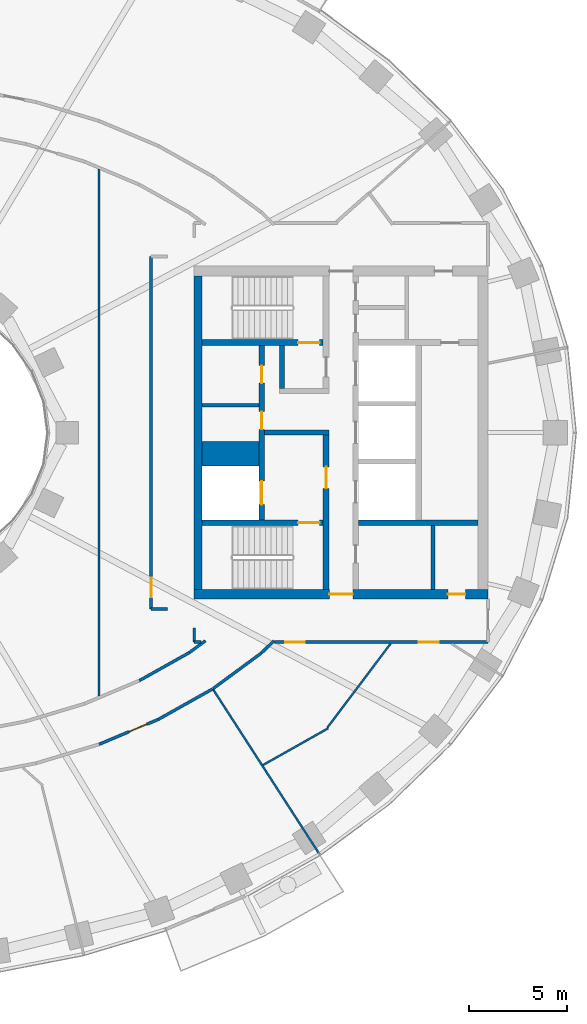
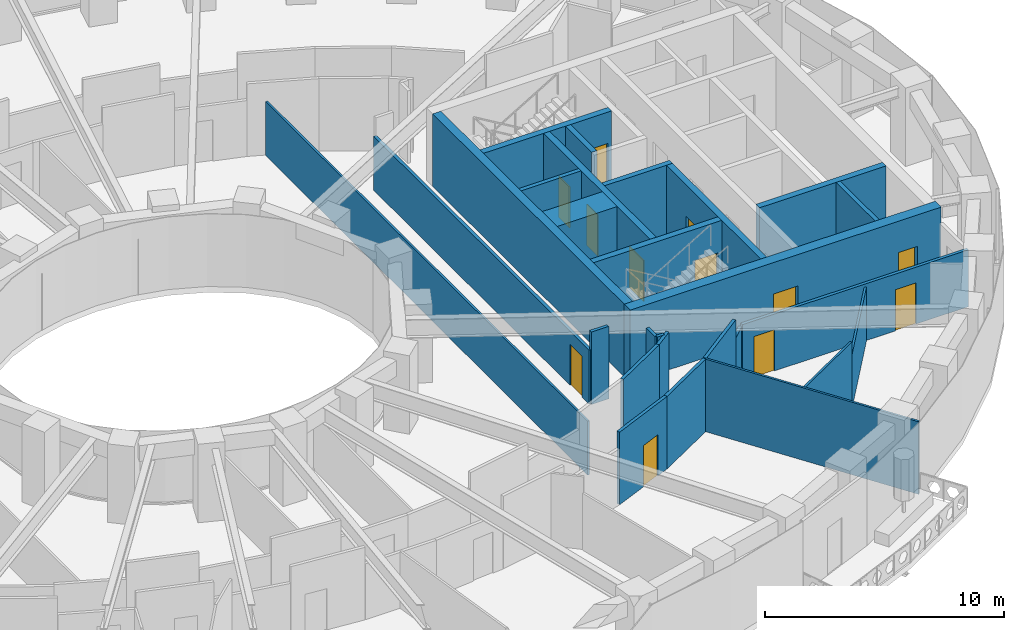
# One storey, part 5 of 16: 27 walls, 12 doors, 12 openings.
"""IFC4 building model written with IfcOpenShell, lengths in metres."""

from ifc_helpers import new_model, si_unit, direction, frame, frame_2d, origin, place, context, subcontext, project, spatial, rectangle, extrude, material, layer, layer_set, type_object, element, fill, save


model = new_model("IFC4")

# Units and contexts
model_context = context("Model", 3, precision=1e-05, world=origin(), true_north=direction((0.0, 1.0)))
body_context = subcontext(model_context, "Body", "Model", "MODEL_VIEW")
ifc_project = project(units=[si_unit("LENGTHUNIT", "METRE"), si_unit("AREAUNIT", "SQUARE_METRE"), si_unit("VOLUMEUNIT", "CUBIC_METRE"), si_unit("PLANEANGLEUNIT", "RADIAN"), si_unit("MASSUNIT", "GRAM", prefix="KILO")], contexts=[model_context])

# Site, building, storey
site_placement = place(None, origin())
site = spatial("IfcSite", under=ifc_project, at=site_placement, CompositionType="ELEMENT")
building_placement = place(site_placement, origin())
building = spatial("IfcBuilding", under=site, at=building_placement, Name="Noorbagh Ring Tower", CompositionType="ELEMENT")
storey_placement = place(building_placement, frame((0.0, 0.0, 116.0)))
storey = spatial("IfcBuildingStorey", under=building, at=storey_placement, Name="L26", CompositionType="ELEMENT", Elevation=116.0)

# Walls
ifc_material_1 = material(Name="Gypsum board on steel studs", Category="steel")
ifc_layer_1 = layer(ifc_material_1, 0.199951171875)
ifc_layer_set_1 = layer_set([ifc_layer_1], Name="Gypsum board on steel studs")
wall_type_1 = type_object("IfcWallType", Name="CORE-PARTITION-200", PredefinedType="PARTITIONING", material=ifc_layer_set_1)
wall_1_placement = place(storey_placement, frame((16.89990234375, 1.39990234375, 0.0), z_axis=(0.0, 0.0, 1.0), x_axis=(1.0, 0.0, 0.0)))
element("IfcWall", 1, at=wall_1_placement, inside=storey, type_object=wall_type_1, Name="Core partition E", PredefinedType="PARTITIONING", context=body_context, shape_type="SweptSolid", body=[
    extrude(rectangle(XDim=2.900146484375, YDim=0.199951171875, at=frame_2d((1.4501953125, 0.0))), origin(), (0.0, 0.0, 1.0), 3.699951171875),
])
wall_2_placement = place(storey_placement, frame((28.699951171875, -8.0, 0.0), z_axis=(0.0, 0.0, 1.0), x_axis=(0.0, 1.0, 0.0)))
element("IfcWall", 2, at=wall_2_placement, inside=storey, type_object=wall_type_1, Name="Core partition E", PredefinedType="PARTITIONING", context=body_context, shape_type="SweptSolid", body=[
    extrude(rectangle(XDim=3.25, YDim=0.199951171875, at=frame_2d((1.625, 0.0))), origin(), (0.0, 0.0, 1.0), 3.699951171875),
])
ifc_material_2 = material(Name="Concrete C70/85", Category="concrete")
ifc_layer_2 = layer(ifc_material_2, 1.25)
ifc_layer_set_2 = layer_set([ifc_layer_2], Name="Concrete C70/85")
wall_type_2 = type_object("IfcWallType", Name="CORE-WALL-1250-C70-85-EI120", PredefinedType="SHEAR", material=ifc_layer_set_2)
wall_3_placement = place(storey_placement, frame((16.89990234375, -1.074951171875, 0.0), z_axis=(0.0, 0.0, 1.0), x_axis=(1.0, 0.0, 0.0)))
element("IfcWall", 3, at=wall_3_placement, inside=storey, type_object=wall_type_2, Name="Core wall E", PredefinedType="SHEAR", context=body_context, shape_type="SweptSolid", body=[
    extrude(rectangle(XDim=2.900146484375, YDim=1.25, at=frame_2d((1.4501953125, 0.0))), origin(), (0.0, 0.0, 1.0), 3.699951171875),
])
ifc_material_3 = material(Name="Concrete C70/85", Category="concrete")
ifc_layer_3 = layer(ifc_material_3, 0.25)
ifc_layer_set_3 = layer_set([ifc_layer_3], Name="Concrete C70/85")
wall_type_3 = type_object("IfcWallType", Name="CORE-WALL-250-C70-85-EI240", PredefinedType="SHEAR", material=ifc_layer_set_3)
wall_4_placement = place(storey_placement, frame((20.10009765625, 0.0, 0.0), z_axis=(0.0, 0.0, 1.0), x_axis=(1.0, 0.0, 0.0)))
element("IfcWall", 4, at=wall_4_placement, inside=storey, type_object=wall_type_3, Name="Core wall E", PredefinedType="SHEAR", context=body_context, shape_type="SweptSolid", body=[
    extrude(rectangle(XDim=3.27978515625, YDim=0.25, at=frame_2d((1.639892578125, 0.0))), origin(), (0.0, 0.0, 1.0), 3.699951171875),
])
wall_5_placement = place(storey_placement, frame((20.97509765625, 2.25, 0.0), z_axis=(0.0, 0.0, 1.0), x_axis=(0.0, 1.0, 0.0)))
element("IfcWall", 5, at=wall_5_placement, inside=storey, type_object=wall_type_3, Name="Core wall E", PredefinedType="SHEAR", context=body_context, shape_type="SweptSolid", body=[
    extrude(rectangle(XDim=2.199951171875, YDim=0.25, at=frame_2d((1.10009765625, 0.0))), origin(), (0.0, 0.0, 1.0), 3.699951171875),
])

# Wall, openings, doors
ifc_material_4 = material(Name="Concrete C70/85", Category="concrete")
ifc_layer_4 = layer(ifc_material_4, 0.300048828125)
ifc_layer_set_4 = layer_set([ifc_layer_4], Name="Concrete C70/85")
wall_type_4 = type_object("IfcWallType", Name="CORE-WALL-300-C70-85-EI120", PredefinedType="SHEAR", material=ifc_layer_set_4)
wall_6_placement = place(storey_placement, frame((19.949951171875, -4.449951171875, 0.0), z_axis=(0.0, 0.0, 1.0), x_axis=(0.0, 1.0, 0.0)))
wall_6 = element("IfcWall", 6, at=wall_6_placement, inside=storey, type_object=wall_type_4, Name="Core wall E", PredefinedType="SHEAR", context=body_context, shape_type="SweptSolid", body=[
    extrude(rectangle(XDim=8.89990234375, YDim=0.300048828125, at=frame_2d((4.449951171875, 0.0))), origin(), (0.0, 0.0, 1.0), 3.699951171875),
])
opening_1_placement = place(wall_6_placement, frame((0.77490234375, 0.0, 0.0)))
opening_1 = element("IfcOpeningElement", 7, at=opening_1_placement, cuts=wall_6, Name="Opening L26-CE01", PredefinedType="OPENING", context=body_context, shape_type="SweptSolid", body=[
    extrude(rectangle(XDim=1.199951171875, YDim=2.10009765625, at=frame_2d((0.60009765625, 1.050048828125))), frame((0.0, 0.16015625, 0.0), z_axis=(0.0, -1.0, 0.0), x_axis=(1.0, 0.0, 0.0)), (0.0, 0.0, 1.0), 0.320068359375),
])
opening_2_placement = place(wall_6_placement, frame((4.6201171875, 0.0, 0.0)))
opening_2 = element("IfcOpeningElement", 8, at=opening_2_placement, cuts=wall_6, Name="Opening L26-CE11", PredefinedType="OPENING", context=body_context, shape_type="SweptSolid", body=[
    extrude(rectangle(XDim=0.89990234375, YDim=2.10009765625, at=frame_2d((0.449951171875, 1.050048828125))), frame((0.0, 0.16015625, 0.0), z_axis=(0.0, -1.0, 0.0), x_axis=(1.0, 0.0, 0.0)), (0.0, 0.0, 1.0), 0.320068359375),
])
opening_3_placement = place(wall_6_placement, frame((6.97509765625, 0.0, 0.0)))
opening_3 = element("IfcOpeningElement", 9, at=opening_3_placement, cuts=wall_6, Name="Opening L26-CE12", PredefinedType="OPENING", context=body_context, shape_type="SweptSolid", body=[
    extrude(rectangle(XDim=0.89990234375, YDim=2.10009765625, at=frame_2d((0.449951171875, 1.050048828125))), frame((0.0, 0.16015625, 0.0), z_axis=(0.0, -1.0, 0.0), x_axis=(1.0, 0.0, 0.0)), (0.0, 0.0, 1.0), 0.320068359375),
])
ifc_material_5 = material(Name="Steel door leaf", Category="steel")
door_type_1 = type_object("IfcDoorType", Name="CORE-DOOR-DROOM", OperationType="SINGLE_SWING_LEFT", PredefinedType="DOOR", material=ifc_material_5)
door_1_placement = place(opening_2_placement, origin())
door_1 = element("IfcDoor", 10, at=door_1_placement, inside=storey, type_object=door_type_1, Name="Core room door L26-CE11", OperationType="SINGLE_SWING_LEFT", OverallHeight=2.10009765625, OverallWidth=0.89990234375, PredefinedType="DOOR", context=body_context, shape_type="SweptSolid", body=[
    extrude(rectangle(XDim=0.89990234375, YDim=2.10009765625, at=frame_2d((0.449951171875, 1.050048828125))), frame((0.0, 0.02490234375, 0.0), z_axis=(0.0, -1.0, 0.0), x_axis=(1.0, 0.0, 0.0)), (0.0, 0.0, 1.0), 0.050048828125),
])
fill(opening_2, door_1)
door_2_placement = place(opening_3_placement, origin())
door_2 = element("IfcDoor", 11, at=door_2_placement, inside=storey, type_object=door_type_1, Name="Core room door L26-CE12", OperationType="SINGLE_SWING_RIGHT", OverallHeight=2.10009765625, OverallWidth=0.89990234375, PredefinedType="DOOR", context=body_context, shape_type="SweptSolid", body=[
    extrude(rectangle(XDim=0.89990234375, YDim=2.10009765625, at=frame_2d((0.449951171875, 1.050048828125))), frame((0.0, 0.02490234375, 0.0), z_axis=(0.0, -1.0, 0.0), x_axis=(1.0, 0.0, 0.0)), (0.0, 0.0, 1.0), 0.050048828125),
])
fill(opening_3, door_2)
ifc_material_6 = material(Name="Steel door leaf", Category="steel")
door_type_2 = type_object("IfcDoorType", Name="CORE-DOOR-LDW", OperationType="DOUBLE_DOOR_SLIDING", PredefinedType="DOOR", material=ifc_material_6)
door_3_placement = place(opening_1_placement, origin())
door_3 = element("IfcDoor", 12, at=door_3_placement, inside=storey, type_object=door_type_2, Name="Landing door FF2 L26-CE01", OperationType="DOUBLE_DOOR_SLIDING", OverallHeight=2.10009765625, OverallWidth=1.199951171875, PredefinedType="DOOR", context=body_context, shape_type="SweptSolid", body=[
    extrude(rectangle(XDim=1.199951171875, YDim=2.10009765625, at=frame_2d((0.60009765625, 1.050048828125))), frame((0.0, 0.02490234375, 0.0), z_axis=(0.0, -1.0, 0.0), x_axis=(1.0, 0.0, 0.0)), (0.0, 0.0, 1.0), 0.050048828125),
])
fill(opening_1, door_3)

# Wall
ifc_material_7 = material(Name="Concrete C70/85", Category="concrete")
ifc_layer_5 = layer(ifc_material_7, 0.300048828125)
ifc_layer_set_5 = layer_set([ifc_layer_5], Name="Concrete C70/85")
wall_type_5 = type_object("IfcWallType", Name="CORE-WALL-300-C70-85-EI240", PredefinedType="SHEAR", material=ifc_layer_set_5)
wall_7_placement = place(storey_placement, frame((24.89990234375, -4.60009765625, 0.0), z_axis=(0.0, 0.0, 1.0), x_axis=(1.0, 0.0, 0.0)))
element("IfcWall", 13, at=wall_7_placement, inside=storey, type_object=wall_type_5, Name="Core wall E", PredefinedType="SHEAR", context=body_context, shape_type="SweptSolid", body=[
    extrude(rectangle(XDim=6.10009765625, YDim=0.300048828125, at=frame_2d((3.050048828125, 0.0))), origin(), (0.0, 0.0, 1.0), 3.699951171875),
])

# Wall, opening, door
wall_8_placement = place(storey_placement, frame((23.22998046875, -8.0, 0.0), z_axis=(0.0, 0.0, 1.0), x_axis=(0.0, 1.0, 0.0)))
wall_8 = element("IfcWall", 14, at=wall_8_placement, inside=storey, type_object=wall_type_5, Name="Core wall E", PredefinedType="SHEAR", context=body_context, shape_type="SweptSolid", body=[
    extrude(rectangle(XDim=7.875, YDim=0.300048828125, at=frame_2d((3.9375, 0.0))), origin(), (0.0, 0.0, 1.0), 3.699951171875),
])
opening_4_placement = place(wall_8_placement, frame((5.14990234375, 0.0, 0.0)))
opening_4 = element("IfcOpeningElement", 15, at=opening_4_placement, cuts=wall_8, Name="Opening L26-CE07", PredefinedType="OPENING", context=body_context, shape_type="SweptSolid", body=[
    extrude(rectangle(XDim=1.10009765625, YDim=2.10009765625, at=frame_2d((0.550048828125, 1.050048828125))), frame((0.0, 0.16015625, 0.0), z_axis=(0.0, -1.0, 0.0), x_axis=(1.0, 0.0, 0.0)), (0.0, 0.0, 1.0), 0.320068359375),
])
ifc_material_8 = material(Name="Steel door leaf", Category="steel")
door_type_3 = type_object("IfcDoorType", Name="CORE-DOOR-DFF", OperationType="SINGLE_SWING_LEFT", PredefinedType="DOOR", material=ifc_material_8)
door_4_placement = place(opening_4_placement, origin())
door_4 = element("IfcDoor", 16, at=door_4_placement, inside=storey, type_object=door_type_3, Name="Firefighting lobby door L26-CE07", OperationType="SINGLE_SWING_RIGHT", OverallHeight=2.10009765625, OverallWidth=1.10009765625, PredefinedType="DOOR", context=body_context, shape_type="SweptSolid", body=[
    extrude(rectangle(XDim=1.10009765625, YDim=2.10009765625, at=frame_2d((0.550048828125, 1.050048828125))), frame((0.0, 0.02490234375, 0.0), z_axis=(0.0, -1.0, 0.0), x_axis=(1.0, 0.0, 0.0)), (0.0, 0.0, 1.0), 0.050048828125),
])
fill(opening_4, door_4)

wall_9_placement = place(storey_placement, frame((16.89990234375, 4.60009765625, 0.0), z_axis=(0.0, 0.0, 1.0), x_axis=(1.0, 0.0, 0.0)))
wall_9 = element("IfcWall", 17, at=wall_9_placement, inside=storey, type_object=wall_type_5, Name="Core wall E", PredefinedType="SHEAR", context=body_context, shape_type="SweptSolid", body=[
    extrude(rectangle(XDim=6.18017578125, YDim=0.300048828125, at=frame_2d((3.090087890625, 0.0))), origin(), (0.0, 0.0, 1.0), 3.699951171875),
])
opening_5_placement = place(wall_9_placement, frame((4.89990234375, 0.0, 0.0)))
opening_5 = element("IfcOpeningElement", 18, at=opening_5_placement, cuts=wall_9, Name="Opening L26-CE05", PredefinedType="OPENING", context=body_context, shape_type="SweptSolid", body=[
    extrude(rectangle(XDim=1.10009765625, YDim=2.10009765625, at=frame_2d((0.550048828125, 1.050048828125))), frame((0.0, 0.16015625, 0.0), z_axis=(0.0, -1.0, 0.0), x_axis=(1.0, 0.0, 0.0)), (0.0, 0.0, 1.0), 0.320068359375),
])
ifc_material_9 = material(Name="Steel door leaf", Category="steel")
door_type_4 = type_object("IfcDoorType", Name="CORE-DOOR-DSTAIR", OperationType="SINGLE_SWING_LEFT", PredefinedType="DOOR", material=ifc_material_9)
door_5_placement = place(opening_5_placement, origin())
door_5 = element("IfcDoor", 19, at=door_5_placement, inside=storey, type_object=door_type_4, Name="Stair door ST3 L26-CE05", OperationType="SINGLE_SWING_LEFT", OverallHeight=2.10009765625, OverallWidth=1.10009765625, PredefinedType="DOOR", context=body_context, shape_type="SweptSolid", body=[
    extrude(rectangle(XDim=1.10009765625, YDim=2.10009765625, at=frame_2d((0.550048828125, 1.050048828125))), frame((0.0, 0.02490234375, 0.0), z_axis=(0.0, -1.0, 0.0), x_axis=(1.0, 0.0, 0.0)), (0.0, 0.0, 1.0), 0.050048828125),
])
fill(opening_5, door_5)

wall_10_placement = place(storey_placement, frame((16.89990234375, -4.60009765625, 0.0), z_axis=(0.0, 0.0, 1.0), x_axis=(1.0, 0.0, 0.0)))
wall_10 = element("IfcWall", 20, at=wall_10_placement, inside=storey, type_object=wall_type_5, Name="Core wall E", PredefinedType="SHEAR", context=body_context, shape_type="SweptSolid", body=[
    extrude(rectangle(XDim=6.18017578125, YDim=0.300048828125, at=frame_2d((3.090087890625, 0.0))), origin(), (0.0, 0.0, 1.0), 3.699951171875),
])
opening_6_placement = place(wall_10_placement, frame((4.89990234375, 0.0, 0.0)))
opening_6 = element("IfcOpeningElement", 21, at=opening_6_placement, cuts=wall_10, Name="Opening L26-CE06", PredefinedType="OPENING", context=body_context, shape_type="SweptSolid", body=[
    extrude(rectangle(XDim=1.10009765625, YDim=2.10009765625, at=frame_2d((0.550048828125, 1.050048828125))), frame((0.0, 0.16015625, 0.0), z_axis=(0.0, -1.0, 0.0), x_axis=(1.0, 0.0, 0.0)), (0.0, 0.0, 1.0), 0.320068359375),
])
door_6_placement = place(opening_6_placement, origin())
door_6 = element("IfcDoor", 22, at=door_6_placement, inside=storey, type_object=door_type_4, Name="Stair door ST4 L26-CE06", OperationType="SINGLE_SWING_RIGHT", OverallHeight=2.10009765625, OverallWidth=1.10009765625, PredefinedType="DOOR", context=body_context, shape_type="SweptSolid", body=[
    extrude(rectangle(XDim=1.10009765625, YDim=2.10009765625, at=frame_2d((0.550048828125, 1.050048828125))), frame((0.0, 0.02490234375, 0.0), z_axis=(0.0, -1.0, 0.0), x_axis=(1.0, 0.0, 0.0)), (0.0, 0.0, 1.0), 0.050048828125),
])
fill(opening_6, door_6)

# Wall
ifc_material_10 = material(Name="Concrete C70/85", Category="concrete")
ifc_layer_6 = layer(ifc_material_10, 0.39990234375)
ifc_layer_set_6 = layer_set([ifc_layer_6], Name="Concrete C70/85")
wall_type_6 = type_object("IfcWallType", Name="CORE-WALL-400-C70-85-EI240", PredefinedType="SHEAR", material=ifc_layer_set_6)
wall_11_placement = place(storey_placement, frame((16.699951171875, -8.0, 0.0), z_axis=(0.0, 0.0, 1.0), x_axis=(0.0, 1.0, 0.0)))
element("IfcWall", 23, at=wall_11_placement, inside=storey, type_object=wall_type_6, Name="Core wall E", PredefinedType="SHEAR", context=body_context, shape_type="SweptSolid", body=[
    extrude(rectangle(XDim=16.0, YDim=0.39990234375, at=frame_2d((8.0, 0.0))), origin(), (0.0, 0.0, 1.0), 3.699951171875),
])

# Wall, openings, doors
ifc_material_11 = material(Name="Concrete C70/85", Category="concrete")
ifc_layer_7 = layer(ifc_material_11, 0.5)
ifc_layer_set_7 = layer_set([ifc_layer_7], Name="Concrete C70/85")
wall_type_7 = type_object("IfcWallType", Name="CORE-WALL-500-C70-85-EI240", PredefinedType="SHEAR", material=ifc_layer_set_7)
wall_12_placement = place(storey_placement, frame((16.5, -8.25, 0.0), z_axis=(0.0, 0.0, 1.0), x_axis=(1.0, 0.0, 0.0)))
wall_12 = element("IfcWall", 24, at=wall_12_placement, inside=storey, type_object=wall_type_7, Name="Core wall E", PredefinedType="SHEAR", context=body_context, shape_type="SweptSolid", body=[
    extrude(rectangle(XDim=15.0, YDim=0.5, at=frame_2d((7.5, 0.0))), origin(), (0.0, 0.0, 1.0), 3.699951171875),
])
opening_7_placement = place(wall_12_placement, frame((6.89990234375, 0.0, 0.0)))
opening_7 = element("IfcOpeningElement", 25, at=opening_7_placement, cuts=wall_12, Name="Opening L26-CE10", PredefinedType="OPENING", context=body_context, shape_type="SweptSolid", body=[
    extrude(rectangle(XDim=1.199951171875, YDim=2.10009765625, at=frame_2d((0.60009765625, 1.050048828125))), frame((0.0, 0.260009765625, 0.0), z_axis=(0.0, -1.0, 0.0), x_axis=(1.0, 0.0, 0.0)), (0.0, 0.0, 1.0), 0.52001953125),
])
opening_8_placement = place(wall_12_placement, frame((12.949951171875, 0.0, 0.0)))
opening_8 = element("IfcOpeningElement", 26, at=opening_8_placement, cuts=wall_12, Name="Opening L26-CE17", PredefinedType="OPENING", context=body_context, shape_type="SweptSolid", body=[
    extrude(rectangle(XDim=0.89990234375, YDim=2.10009765625, at=frame_2d((0.449951171875, 1.050048828125))), frame((0.0, 0.260009765625, 0.0), z_axis=(0.0, -1.0, 0.0), x_axis=(1.0, 0.0, 0.0)), (0.0, 0.0, 1.0), 0.52001953125),
])
door_7_placement = place(opening_8_placement, origin())
door_7 = element("IfcDoor", 27, at=door_7_placement, inside=storey, type_object=door_type_1, Name="Core room door L26-CE17", OperationType="SINGLE_SWING_RIGHT", OverallHeight=2.10009765625, OverallWidth=0.89990234375, PredefinedType="DOOR", context=body_context, shape_type="SweptSolid", body=[
    extrude(rectangle(XDim=0.89990234375, YDim=2.10009765625, at=frame_2d((0.449951171875, 1.050048828125))), frame((0.0, 0.02490234375, 0.0), z_axis=(0.0, -1.0, 0.0), x_axis=(1.0, 0.0, 0.0)), (0.0, 0.0, 1.0), 0.050048828125),
])
fill(opening_8, door_7)
ifc_material_12 = material(Name="Steel door leaf", Category="steel")
door_type_5 = type_object("IfcDoorType", Name="CORE-DOOR-PORT", OperationType="DOUBLE_DOOR_DOUBLE_SWING", PredefinedType="DOOR", material=ifc_material_12)
door_8_placement = place(opening_7_placement, origin())
door_8 = element("IfcDoor", 28, at=door_8_placement, inside=storey, type_object=door_type_5, Name="Core entrance door L26-CE10", OperationType="DOUBLE_DOOR_DOUBLE_SWING", OverallHeight=2.10009765625, OverallWidth=1.199951171875, PredefinedType="DOOR", context=body_context, shape_type="SweptSolid", body=[
    extrude(rectangle(XDim=1.199951171875, YDim=2.10009765625, at=frame_2d((0.60009765625, 1.050048828125))), frame((0.0, 0.02490234375, 0.0), z_axis=(0.0, -1.0, 0.0), x_axis=(1.0, 0.0, 0.0)), (0.0, 0.0, 1.0), 0.050048828125),
])
fill(opening_7, door_8)

# Wall, opening, door
ifc_material_13 = material(Name="Gypsum board on steel studs", Category="steel")
ifc_layer_8 = layer(ifc_material_13, 0.14990234375)
ifc_layer_set_8 = layer_set([ifc_layer_8], Name="Gypsum board on steel studs")
wall_type_8 = type_object("IfcWallType", Name="CORRIDOR PARTITION 150 EI 30", PredefinedType="PARTITIONING", material=ifc_layer_set_8)
wall_13_placement = place(storey_placement, frame((11.64306640625, -15.9130859375, 0.0), z_axis=(0.0, 0.0, 1.0), x_axis=(0.921789499058, 0.38769075231, 0.0)))
wall_13 = element("IfcWall", 29, at=wall_13_placement, inside=storey, type_object=wall_type_8, Name="L26/wall/P88", PredefinedType="PARTITIONING", context=body_context, shape_type="SweptSolid", body=[
    extrude(rectangle(XDim=3.2783203125, YDim=0.14990234375, at=frame_2d((1.63916015625, 0.0))), origin(), (0.0, 0.0, 1.0), 3.699951171875),
])
opening_9_placement = place(wall_13_placement, frame((1.64990234375, 0.0, 0.0)))
opening_9 = element("IfcOpeningElement", 30, at=opening_9_placement, cuts=wall_13, Name="Opening D1", PredefinedType="OPENING", context=body_context, shape_type="SweptSolid", body=[
    extrude(rectangle(XDim=1.0, YDim=2.10009765625, at=frame_2d((0.5, 1.050048828125))), frame((0.0, 0.0849609375, 0.0), z_axis=(0.0, -1.0, 0.0), x_axis=(1.0, 0.0, 0.0)), (0.0, 0.0, 1.0), 0.169921875),
])
ifc_material_14 = material(Name="Timber, painted", Category="wood")
door_type_6 = type_object("IfcDoorType", Name="DOOR 1000 X 2100 FD30", OperationType="SINGLE_SWING_LEFT", PredefinedType="DOOR", material=ifc_material_14)
door_9_placement = place(opening_9_placement, origin())
door_9 = element("IfcDoor", 31, at=door_9_placement, inside=storey, type_object=door_type_6, Name="L26-D14", OperationType="SINGLE_SWING_RIGHT", OverallHeight=2.10009765625, OverallWidth=1.0, PredefinedType="DOOR", context=body_context, shape_type="SweptSolid", body=[
    extrude(rectangle(XDim=1.0, YDim=2.10009765625, at=frame_2d((0.5, 1.050048828125))), frame((0.0, 0.02490234375, 0.0), z_axis=(0.0, -1.0, 0.0), x_axis=(1.0, 0.0, 0.0)), (0.0, 0.0, 1.0), 0.050048828125),
])
fill(opening_9, door_9)

# Wall
wall_14_placement = place(storey_placement, frame((13.697021484375, -12.662109375, 0.0), z_axis=(0.0, 0.0, 1.0), x_axis=(0.872147381065, 0.489243237767, 0.0)))
element("IfcWall", 32, at=wall_14_placement, inside=storey, type_object=wall_type_8, Name="L26/wall/P90", PredefinedType="PARTITIONING", context=body_context, shape_type="SweptSolid", body=[
    extrude(rectangle(XDim=2.92724609375, YDim=0.14990234375, at=frame_2d((1.463623046875, 0.0))), origin(), (0.0, 0.0, 1.0), 3.699951171875),
])

# Wall, opening, door
wall_15_placement = place(storey_placement, frame((14.300048828125, -9.0, 0.0), z_axis=(0.0, 0.0, 1.0), x_axis=(0.0, 1.0, 0.0)))
wall_15 = element("IfcWall", 33, at=wall_15_placement, inside=storey, type_object=wall_type_8, Name="L26/wall/P92", PredefinedType="PARTITIONING", context=body_context, shape_type="SweptSolid", body=[
    extrude(rectangle(XDim=18.0, YDim=0.14990234375, at=frame_2d((9.0, 0.0))), origin(), (0.0, 0.0, 1.0), 2.75),
])
opening_10_placement = place(wall_15_placement, frame((0.60009765625, 0.0, 0.0)))
opening_10 = element("IfcOpeningElement", 34, at=opening_10_placement, cuts=wall_15, Name="Opening D1", PredefinedType="OPENING", context=body_context, shape_type="SweptSolid", body=[
    extrude(rectangle(XDim=1.0, YDim=2.10009765625, at=frame_2d((0.5, 1.050048828125))), frame((0.0, 0.0849609375, 0.0), z_axis=(0.0, -1.0, 0.0), x_axis=(1.0, 0.0, 0.0)), (0.0, 0.0, 1.0), 0.169921875),
])
door_10_placement = place(opening_10_placement, origin())
door_10 = element("IfcDoor", 35, at=door_10_placement, inside=storey, type_object=door_type_6, Name="L26-D24", OperationType="SINGLE_SWING_RIGHT", OverallHeight=2.10009765625, OverallWidth=1.0, PredefinedType="DOOR", context=body_context, shape_type="SweptSolid", body=[
    extrude(rectangle(XDim=1.0, YDim=2.10009765625, at=frame_2d((0.5, 1.050048828125))), frame((0.0, 0.02490234375, 0.0), z_axis=(0.0, -1.0, 0.0), x_axis=(1.0, 0.0, 0.0)), (0.0, 0.0, 1.0), 0.050048828125),
])
fill(opening_10, door_10)

# Walls
wall_16_placement = place(storey_placement, frame((14.300048828125, -9.0, 0.0), z_axis=(0.0, 0.0, 1.0), x_axis=(1.0, 0.0, 0.0)))
element("IfcWall", 36, at=wall_16_placement, inside=storey, type_object=wall_type_8, Name="L26/wall/P93", PredefinedType="PARTITIONING", context=body_context, shape_type="SweptSolid", body=[
    extrude(rectangle(XDim=0.833984375, YDim=0.14990234375, at=frame_2d((0.4169921875, 0.0))), origin(), (0.0, 0.0, 1.0), 3.699951171875),
])
wall_17_placement = place(storey_placement, frame((14.6650390625, -14.64208984375, 0.0), z_axis=(0.0, 0.0, 1.0), x_axis=(0.871997056828, 0.4895111162, 0.0)))
element("IfcWall", 37, at=wall_17_placement, inside=storey, type_object=wall_type_8, Name="L26/wall/P95", PredefinedType="PARTITIONING", context=body_context, shape_type="SweptSolid", body=[
    extrude(rectangle(XDim=3.16845703125, YDim=0.14990234375, at=frame_2d((1.584228515625, 0.0))), origin(), (0.0, 0.0, 1.0), 3.699951171875),
])
wall_18_placement = place(storey_placement, frame((16.25, -11.22998046875, 0.0), z_axis=(0.0, 0.0, 1.0), x_axis=(0.805055837353, 0.59319903805, 0.0)))
element("IfcWall", 38, at=wall_18_placement, inside=storey, type_object=wall_type_8, Name="L26/wall/P97", PredefinedType="PARTITIONING", context=body_context, shape_type="SweptSolid", body=[
    extrude(rectangle(XDim=1.019775390625, YDim=0.14990234375, at=frame_2d((0.509765625, 0.0))), origin(), (0.0, 0.0, 1.0), 3.699951171875),
])
wall_19_placement = place(storey_placement, frame((16.5, -10.699951171875, 0.0), z_axis=(0.0, 0.0, 1.0), x_axis=(0.0, 1.0, 0.0)))
element("IfcWall", 39, at=wall_19_placement, inside=storey, type_object=wall_type_8, Name="L26/wall/P99", PredefinedType="PARTITIONING", context=body_context, shape_type="SweptSolid", body=[
    extrude(rectangle(XDim=0.73583984375, YDim=0.14990234375, at=frame_2d((0.367919921875, 0.0))), origin(), (0.0, 0.0, 1.0), 3.699951171875),
])
wall_20_placement = place(storey_placement, frame((16.5, -10.699951171875, 0.0), z_axis=(0.0, 0.0, 1.0), x_axis=(1.0, 0.0, 0.0)))
element("IfcWall", 40, at=wall_20_placement, inside=storey, type_object=wall_type_8, Name="L26/wall/P100", PredefinedType="PARTITIONING", context=body_context, shape_type="SweptSolid", body=[
    extrude(rectangle(XDim=0.343017578125, YDim=0.14990234375, at=frame_2d((0.17138671875, 0.0))), origin(), (0.0, 0.0, 1.0), 3.699951171875),
])
wall_21_placement = place(storey_placement, frame((17.4609375, -13.070068359375, 0.0), z_axis=(0.0, 0.0, 1.0), x_axis=(0.805228684186, 0.592964388613, 0.0)))
element("IfcWall", 41, at=wall_21_placement, inside=storey, type_object=wall_type_8, Name="L26/wall/P105", PredefinedType="PARTITIONING", context=body_context, shape_type="SweptSolid", body=[
    extrude(rectangle(XDim=3.052490234375, YDim=0.14990234375, at=frame_2d((1.5263671875, 0.0))), origin(), (0.0, 0.0, 1.0), 3.699951171875),
])
wall_22_placement = place(storey_placement, frame((19.9189453125, -11.260009765625, 0.0), z_axis=(0.0, 0.0, 1.0), x_axis=(0.716953986293, 0.697120492841, 0.0)))
element("IfcWall", 42, at=wall_22_placement, inside=storey, type_object=wall_type_8, Name="L26/wall/P106", PredefinedType="PARTITIONING", context=body_context, shape_type="SweptSolid", body=[
    extrude(rectangle(XDim=0.910888671875, YDim=0.14990234375, at=frame_2d((0.45556640625, 0.0))), origin(), (0.0, 0.0, 1.0), 2.75),
])

# Wall, openings, doors
wall_23_placement = place(storey_placement, frame((20.60302734375, -10.699951171875, 0.0), z_axis=(0.0, 0.0, 1.0), x_axis=(1.0, 0.0, 0.0)))
wall_23 = element("IfcWall", 43, at=wall_23_placement, inside=storey, type_object=wall_type_8, Name="L26/wall/P109", PredefinedType="PARTITIONING", context=body_context, shape_type="SweptSolid", body=[
    extrude(rectangle(XDim=10.89697265625, YDim=0.14990234375, at=frame_2d((5.448486328125, 0.0))), origin(), (0.0, 0.0, 1.0), 2.89990234375),
])
opening_11_placement = place(wall_23_placement, frame((0.5419921875, 0.0, 0.0)))
opening_11 = element("IfcOpeningElement", 44, at=opening_11_placement, cuts=wall_23, Name="Opening D1", PredefinedType="OPENING", context=body_context, shape_type="SweptSolid", body=[
    extrude(rectangle(XDim=1.0, YDim=2.10009765625, at=frame_2d((0.5, 1.050048828125))), frame((0.0, 0.0849609375, 0.0), z_axis=(0.0, -1.0, 0.0), x_axis=(1.0, 0.0, 0.0)), (0.0, 0.0, 1.0), 0.169921875),
])
opening_12_placement = place(wall_23_placement, frame((7.3720703125, 0.0, 0.0)))
opening_12 = element("IfcOpeningElement", 45, at=opening_12_placement, cuts=wall_23, Name="Opening D1", PredefinedType="OPENING", context=body_context, shape_type="SweptSolid", body=[
    extrude(rectangle(XDim=1.0, YDim=2.10009765625, at=frame_2d((0.5, 1.050048828125))), frame((0.0, 0.0849609375, 0.0), z_axis=(0.0, -1.0, 0.0), x_axis=(1.0, 0.0, 0.0)), (0.0, 0.0, 1.0), 0.169921875),
])
door_11_placement = place(opening_11_placement, origin())
door_11 = element("IfcDoor", 46, at=door_11_placement, inside=storey, type_object=door_type_6, Name="L26-D15", OperationType="SINGLE_SWING_LEFT", OverallHeight=2.10009765625, OverallWidth=1.0, PredefinedType="DOOR", context=body_context, shape_type="SweptSolid", body=[
    extrude(rectangle(XDim=1.0, YDim=2.10009765625, at=frame_2d((0.5, 1.050048828125))), frame((0.0, 0.02490234375, 0.0), z_axis=(0.0, -1.0, 0.0), x_axis=(1.0, 0.0, 0.0)), (0.0, 0.0, 1.0), 0.050048828125),
])
fill(opening_11, door_11)
door_12_placement = place(opening_12_placement, origin())
door_12 = element("IfcDoor", 47, at=door_12_placement, inside=storey, type_object=door_type_6, Name="L26-D16", OperationType="SINGLE_SWING_RIGHT", OverallHeight=2.10009765625, OverallWidth=1.0, PredefinedType="DOOR", context=body_context, shape_type="SweptSolid", body=[
    extrude(rectangle(XDim=1.0, YDim=2.10009765625, at=frame_2d((0.5, 1.050048828125))), frame((0.0, 0.02490234375, 0.0), z_axis=(0.0, -1.0, 0.0), x_axis=(1.0, 0.0, 0.0)), (0.0, 0.0, 1.0), 0.050048828125),
])
fill(opening_12, door_12)

# Walls
ifc_material_15 = material(Name="Gypsum board on steel studs", Category="steel")
ifc_layer_9 = layer(ifc_material_15, 0.10009765625)
ifc_layer_set_9 = layer_set([ifc_layer_9], Name="Gypsum board on steel studs")
wall_type_9 = type_object("IfcWallType", Name="PARTITION 100 GYPSUM", PredefinedType="PARTITIONING", material=ifc_layer_set_9)
wall_24_placement = place(storey_placement, frame((11.635986328125, -13.444091796875, 0.0), z_axis=(0.0, 0.0, 1.0), x_axis=(0.0, 1.0, 0.0)))
element("IfcWall", 48, at=wall_24_placement, inside=storey, type_object=wall_type_9, Name="L26/wall/P87", PredefinedType="PARTITIONING", context=body_context, shape_type="SweptSolid", body=[
    extrude(rectangle(XDim=26.88818359375, YDim=0.10009765625, at=frame_2d((13.444091796875, 0.0))), origin(), (0.0, 0.0, 1.0), 2.75),
])
wall_25_placement = place(storey_placement, frame((17.447021484375, -13.0849609375, 0.0), z_axis=(0.0, 0.0, 1.0), x_axis=(0.542325736183, -0.840168314015, 0.0)))
element("IfcWall", 49, at=wall_25_placement, inside=storey, type_object=wall_type_9, Name="L26/wall/P104", PredefinedType="PARTITIONING", context=body_context, shape_type="SweptSolid", body=[
    extrude(rectangle(XDim=10.06591796875, YDim=0.10009765625, at=frame_2d((5.032958984375, 0.0))), origin(), (0.0, 0.0, 1.0), 3.699951171875),
])
wall_26_placement = place(storey_placement, frame((20.014892578125, -16.969970703125, 0.0), z_axis=(0.0, 0.0, 1.0), x_axis=(0.871018559545, 0.491250108324, 0.0)))
element("IfcWall", 50, at=wall_26_placement, inside=storey, type_object=wall_type_9, Name="L26/wall/P108", PredefinedType="PARTITIONING", context=body_context, shape_type="SweptSolid", body=[
    extrude(rectangle(XDim=3.808349609375, YDim=0.10009765625, at=frame_2d((1.904296875, 0.0))), origin(), (0.0, 0.0, 1.0), 3.699951171875),
])
wall_27_placement = place(storey_placement, frame((23.298095703125, -15.06005859375, 0.0), z_axis=(0.0, 0.0, 1.0), x_axis=(0.601658833238, 0.798753183647, 0.0)))
element("IfcWall", 51, at=wall_27_placement, inside=storey, type_object=wall_type_9, Name="L26/wall/P111", PredefinedType="PARTITIONING", context=body_context, shape_type="SweptSolid", body=[
    extrude(rectangle(XDim=5.36474609375, YDim=0.10009765625, at=frame_2d((2.682373046875, 0.0))), origin(), (0.0, 0.0, 1.0), 2.75),
])

save(model, "model.ifc")
